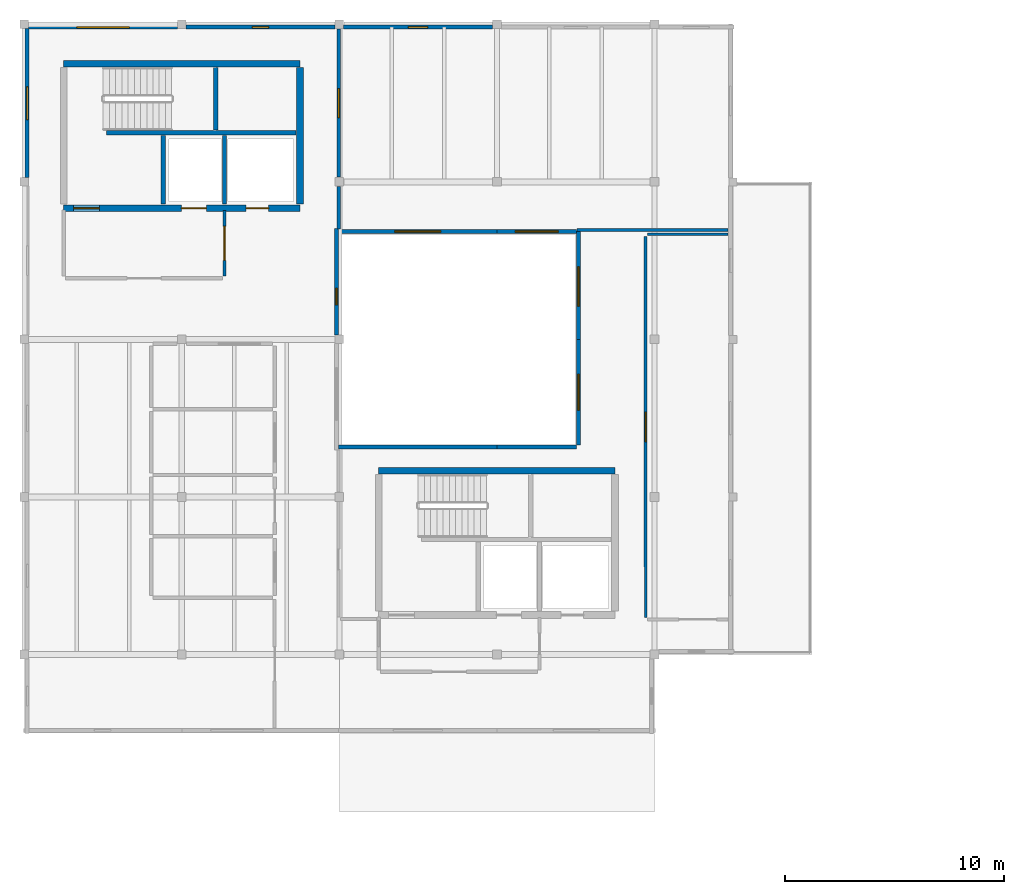
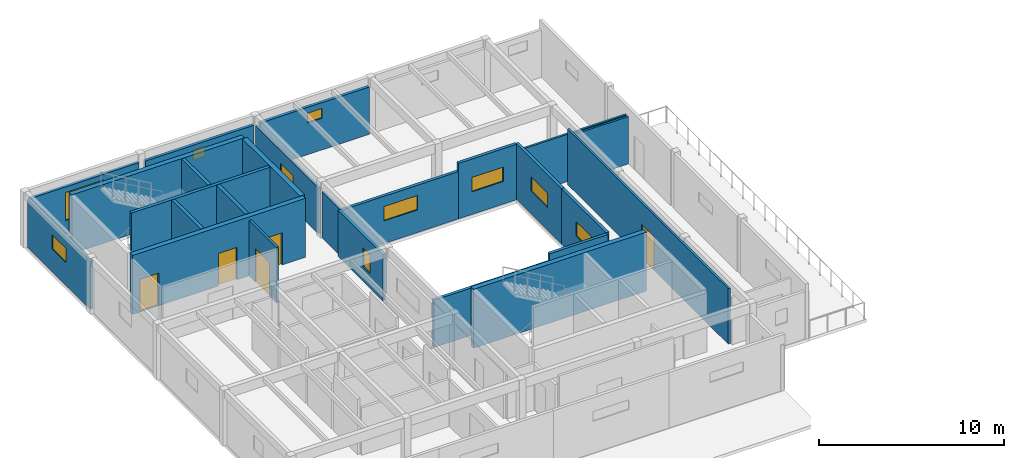
# One storey, part 6 of 12: 25 walls, 9 windows, 6 doors, 15 openings.
"""IFC4 building model written with IfcOpenShell, lengths in metres."""

from ifc_helpers import new_model, si_unit, direction, frame, frame_2d, origin, place, context, subcontext, project, spatial, rectangle, extrude, material, layer, layer_set, type_object, element, fill, save


model = new_model("IFC4")

# Units and contexts
model_context = context("Model", 3, precision=1e-05, world=origin(), true_north=direction((0.0, 1.0)))
body_context = subcontext(model_context, "Body", "Model", "MODEL_VIEW")
ifc_project = project(units=[si_unit("LENGTHUNIT", "METRE"), si_unit("AREAUNIT", "SQUARE_METRE"), si_unit("VOLUMEUNIT", "CUBIC_METRE"), si_unit("PLANEANGLEUNIT", "RADIAN"), si_unit("MASSUNIT", "GRAM", prefix="KILO")], contexts=[model_context])

# Site, building, storey
site_placement = place(None, origin())
site = spatial("IfcSite", under=ifc_project, at=site_placement, CompositionType="ELEMENT")
building_placement = place(site_placement, origin())
building = spatial("IfcBuilding", under=site, at=building_placement, Name="Bramvelor Terrace Health Centre", CompositionType="ELEMENT")
storey_placement = place(building_placement, frame((0.0, 0.0, 17.699951171875)))
storey = spatial("IfcBuildingStorey", under=building, at=storey_placement, Name="L05", CompositionType="ELEMENT", Elevation=17.699951171875)

# Walls
ifc_material_1 = material(Name="Acoustic clinical partition board", Category="gypsum")
ifc_layer_1 = layer(ifc_material_1, 0.1201171875)
ifc_layer_set_1 = layer_set([ifc_layer_1], Name="Acoustic clinical partition board")
wall_type_1 = type_object("IfcWallType", Name="WL-CLN-120", PredefinedType="PARTITIONING", material=ifc_layer_set_1)
wall_1_placement = place(storey_placement, frame((28.489990234375, 105.60009765625, 0.0), z_axis=(0.0, 0.0, 1.0), x_axis=(1.0, 0.0, 0.0)))
element("IfcWall", 1, at=wall_1_placement, inside=storey, type_object=wall_type_1, Name="L05 Interior Partition 341", PredefinedType="PARTITIONING", context=body_context, shape_type="SweptSolid", body=[
    extrude(rectangle(XDim=3.677490234375, YDim=0.1201171875, at=frame_2d((1.8388671875, 0.0))), origin(), (0.0, 0.0, 1.0), 3.130126953125),
])
wall_2_placement = place(storey_placement, frame((32.16748046875, 105.800048828125, 0.0), z_axis=(0.0, 0.0, 1.0), x_axis=(-1.0, 0.0, 0.0)))
element("IfcWall", 2, at=wall_2_placement, inside=storey, type_object=wall_type_1, Name="L05 Interior Partition 344", PredefinedType="PARTITIONING", context=body_context, shape_type="SweptSolid", body=[
    extrude(rectangle(XDim=6.898193359375, YDim=0.1201171875, at=frame_2d((3.44921875, 0.0))), origin(), (0.0, 0.0, 1.0), 3.130126953125),
])

# Wall, opening, door
ifc_material_2 = material(Name="Acoustic clinical partition board", Category="gypsum")
ifc_layer_2 = layer(ifc_material_2, 0.1298828125)
ifc_layer_set_2 = layer_set([ifc_layer_2], Name="Acoustic clinical partition board")
wall_type_2 = type_object("IfcWallType", Name="WL-CLN-130", PredefinedType="PARTITIONING", material=ifc_layer_set_2)
wall_3_placement = place(storey_placement, frame((28.402099609375, 88.092041015625, 0.0), z_axis=(0.0, 0.0, 1.0), x_axis=(-0.00012614936, 0.999999992043, 0.0)))
wall_3 = element("IfcWall", 3, at=wall_3_placement, inside=storey, type_object=wall_type_2, Name="L05 Interior Partition 343", PredefinedType="PARTITIONING", context=body_context, shape_type="SweptSolid", body=[
    extrude(rectangle(XDim=17.41796875, YDim=0.1298828125, at=frame_2d((8.708984375, 0.0))), origin(), (0.0, 0.0, 1.0), 3.670166015625),
])
opening_1_placement = place(wall_3_placement, frame((8.0390625, 0.0, 0.0)))
opening_1 = element("IfcOpeningElement", 4, at=opening_1_placement, cuts=wall_3, Name="Opening ID-C02", PredefinedType="OPENING", context=body_context, shape_type="SweptSolid", body=[
    extrude(rectangle(XDim=1.340087890625, YDim=2.239990234375, at=frame_2d((0.669921875, 1.1201171875))), frame((0.0, 0.074951171875, 0.0), z_axis=(0.0, -1.0, 0.0), x_axis=(1.0, 0.0, 0.0)), (0.0, 0.0, 1.0), 0.14990234375),
])
ifc_material_3 = material(Name="Solid-core acoustic timber laminate", Category="wood")
door_type_1 = type_object("IfcDoorType", Name="DR-CLN-02", OperationType="NOTDEFINED", PredefinedType="DOOR", material=ifc_material_3)
door_1_placement = place(opening_1_placement, origin())
door_1 = element("IfcDoor", 5, at=door_1_placement, inside=storey, type_object=door_type_1, Name="L05 Chronic Respiratory Rehab Suite Clinical Door", OperationType="SINGLE_SWING_LEFT", OverallHeight=2.239990234375, OverallWidth=1.340087890625, PredefinedType="DOOR", context=body_context, shape_type="SweptSolid", body=[
    extrude(rectangle(XDim=1.340087890625, YDim=2.239990234375, at=frame_2d((0.669921875, 1.1201171875))), frame((0.0, 0.02490234375, 0.0), z_axis=(0.0, -1.0, 0.0), x_axis=(1.0, 0.0, 0.0)), (0.0, 0.0, 1.0), 0.050048828125),
])
fill(opening_1, door_1)

# Wall
ifc_material_4 = material(Name="Fire-rated gypsum and mineral wool", Category="gypsum")
ifc_layer_3 = layer(ifc_material_4, 0.139892578125)
ifc_layer_set_3 = layer_set([ifc_layer_3], Name="Fire-rated gypsum and mineral wool")
wall_type_3 = type_object("IfcWallType", Name="WL-COR-140", PredefinedType="PARTITIONING", material=ifc_layer_set_3)
wall_4_placement = place(storey_placement, frame((14.3701171875, 105.848388671875, 0.0), z_axis=(0.0, 0.0, 1.0), x_axis=(0.0, 1.0, 0.0)))
element("IfcWall", 6, at=wall_4_placement, inside=storey, type_object=wall_type_3, Name="L05 Interior Partition 345", PredefinedType="PARTITIONING", context=body_context, shape_type="SweptSolid", body=[
    extrude(rectangle(XDim=1.9365234375, YDim=0.139892578125, at=frame_2d((0.96826171875, 0.0))), origin(), (0.0, 0.0, 1.0), 3.050048828125),
])

# Wall, opening, door
wall_5_placement = place(storey_placement, frame((14.3701171875, 108.215087890625, 0.0), z_axis=(0.0, 0.0, 1.0), x_axis=(0.0, 1.0, 0.0)))
wall_5 = element("IfcWall", 7, at=wall_5_placement, inside=storey, type_object=wall_type_3, Name="L05 Interior Partition 346", PredefinedType="PARTITIONING", context=body_context, shape_type="SweptSolid", body=[
    extrude(rectangle(XDim=6.77490234375, YDim=0.139892578125, at=frame_2d((3.387451171875, 0.0))), origin(), (0.0, 0.0, 1.0), 3.050048828125),
])
opening_2_placement = place(wall_5_placement, frame((2.7275390625, 0.0, 0.0)))
opening_2 = element("IfcOpeningElement", 8, at=opening_2_placement, cuts=wall_5, Name="Opening FD-05", PredefinedType="OPENING", context=body_context, shape_type="SweptSolid", body=[
    extrude(rectangle(XDim=1.320068359375, YDim=2.199951171875, at=frame_2d((0.66015625, 1.10009765625))), frame((0.0, 0.079833984375, 0.0), z_axis=(0.0, -1.0, 0.0), x_axis=(1.0, 0.0, 0.0)), (0.0, 0.0, 1.0), 0.159912109375),
])
ifc_material_5 = material(Name="Fire-rated steel and vision panel", Category="steel")
door_type_2 = type_object("IfcDoorType", Name="DR-FD60-132", OperationType="NOTDEFINED", PredefinedType="DOOR", material=ifc_material_5)
door_2_placement = place(opening_2_placement, origin())
door_2 = element("IfcDoor", 9, at=door_2_placement, inside=storey, type_object=door_type_2, Name="L05 Telemedicine and Digital Triage Hub Fire Door", OperationType="SINGLE_SWING_RIGHT", OverallHeight=2.199951171875, OverallWidth=1.320068359375, PredefinedType="DOOR", context=body_context, shape_type="SweptSolid", body=[
    extrude(rectangle(XDim=1.320068359375, YDim=2.199951171875, at=frame_2d((0.66015625, 1.10009765625))), frame((0.0, 0.02490234375, 0.0), z_axis=(0.0, -1.0, 0.0), x_axis=(1.0, 0.0, 0.0)), (0.0, 0.0, 1.0), 0.050048828125),
])
fill(opening_2, door_2)

# Walls
ifc_material_6 = material(Name="Concrete C40/50", Category="concrete")
ifc_layer_4 = layer(ifc_material_6, 0.199951171875)
ifc_layer_set_4 = layer_set([ifc_layer_4], Name="Concrete C40/50")
wall_type_4 = type_object("IfcWallType", Name="WL-CORE-200", PredefinedType="SHEAR", material=ifc_layer_set_4)
wall_6_placement = place(storey_placement, frame((3.75, 110.25, 0.0), z_axis=(0.0, 0.0, 1.0), x_axis=(1.0, 0.0, 0.0)))
element("IfcWall", 10, at=wall_6_placement, inside=storey, type_object=wall_type_4, Name="C1 L05 Core Shear Wall", PredefinedType="SHEAR", context=body_context, shape_type="SweptSolid", body=[
    extrude(rectangle(XDim=8.669921875, YDim=0.199951171875, at=frame_2d((4.3349609375, 0.0))), origin(), (0.0, 0.0, 1.0), 3.900146484375),
])
wall_7_placement = place(storey_placement, frame((8.7548828125, 110.3701171875, 0.0), z_axis=(0.0, 0.0, 1.0), x_axis=(0.0, 1.0, 0.0)))
element("IfcWall", 11, at=wall_7_placement, inside=storey, type_object=wall_type_4, Name="C1 L05 Core Shear Wall", PredefinedType="SHEAR", context=body_context, shape_type="SweptSolid", body=[
    extrude(rectangle(XDim=2.849853515625, YDim=0.199951171875, at=frame_2d((1.4248046875, 0.0))), origin(), (0.0, 0.0, 1.0), 3.900146484375),
])
for number, where, z_axis, x_axis, name in (
    (12, (6.35009765625, 106.97998046875, 0.0), (0.0, 0.0, 1.0), (0.0, 1.0, 0.0), "C1 L05 Core Shear Wall"),
    (13, (9.14990234375, 106.97998046875, 0.0), (0.0, 0.0, 1.0), (0.0, 1.0, 0.0), "C1 L05 Lift Divider Wall"),
):
    element("IfcWall", number, at=place(storey_placement, frame(where, z_axis=z_axis, x_axis=x_axis)), inside=storey, type_object=wall_type_4, Name=name, PredefinedType="SHEAR", context=body_context, shape_type="SweptSolid", body=[
        extrude(rectangle(XDim=3.14990234375, YDim=0.199951171875, at=frame_2d((1.574951171875, 0.0))), origin(), (0.0, 0.0, 1.0), 3.900146484375),
    ])

# Wall, openings, doors
ifc_material_7 = material(Name="Concrete C40/50", Category="concrete")
ifc_layer_5 = layer(ifc_material_7, 0.300048828125)
ifc_layer_set_5 = layer_set([ifc_layer_5], Name="Concrete C40/50")
wall_type_5 = type_object("IfcWallType", Name="WL-CORE-300", PredefinedType="SHEAR", material=ifc_layer_set_5)
wall_8_placement = place(storey_placement, frame((1.800048828125, 106.800048828125, 0.0), z_axis=(0.0, 0.0, 1.0), x_axis=(1.0, 0.0, 0.0)))
wall_8 = element("IfcWall", 14, at=wall_8_placement, inside=storey, type_object=wall_type_5, Name="C1 L05 Core Shear Wall", PredefinedType="SHEAR", context=body_context, shape_type="SweptSolid", body=[
    extrude(rectangle(XDim=10.800048828125, YDim=0.300048828125, at=frame_2d((5.39990234375, 0.0))), origin(), (0.0, 0.0, 1.0), 3.900146484375),
])
opening_3_placement = place(wall_8_placement, frame((0.449951171875, 0.0, 0.0)))
opening_3 = element("IfcOpeningElement", 15, at=opening_3_placement, cuts=wall_8, Name="Opening FD-02", PredefinedType="OPENING", context=body_context, shape_type="SweptSolid", body=[
    extrude(rectangle(XDim=1.179931640625, YDim=2.159912109375, at=frame_2d((0.58984375, 1.080078125))), frame((0.0, 0.159912109375, 0.0), z_axis=(0.0, -1.0, 0.0), x_axis=(1.0, 0.0, 0.0)), (0.0, 0.0, 1.0), 0.320068359375),
])
opening_4_placement = place(wall_8_placement, frame((5.375, 0.0, 0.0)))
opening_4 = element("IfcOpeningElement", 16, at=opening_4_placement, cuts=wall_8, Name="Opening LD-1", PredefinedType="OPENING", context=body_context, shape_type="SweptSolid", body=[
    extrude(rectangle(XDim=1.14990234375, YDim=2.14990234375, at=frame_2d((0.574951171875, 1.074951171875))), frame((0.0, 0.159912109375, 0.0), z_axis=(0.0, -1.0, 0.0), x_axis=(1.0, 0.0, 0.0)), (0.0, 0.0, 1.0), 0.320068359375),
])
opening_5_placement = place(wall_8_placement, frame((8.340087890625, 0.0, 0.0)))
opening_5 = element("IfcOpeningElement", 17, at=opening_5_placement, cuts=wall_8, Name="Opening LD-2", PredefinedType="OPENING", context=body_context, shape_type="SweptSolid", body=[
    extrude(rectangle(XDim=1.02001953125, YDim=2.1201171875, at=frame_2d((0.510009765625, 1.06005859375))), frame((0.0, 0.159912109375, 0.0), z_axis=(0.0, -1.0, 0.0), x_axis=(1.0, 0.0, 0.0)), (0.0, 0.0, 1.0), 0.320068359375),
])
ifc_material_8 = material(Name="Fire-rated steel and vision panel", Category="steel")
door_type_3 = type_object("IfcDoorType", Name="DR-FD90-118", OperationType="NOTDEFINED", PredefinedType="DOOR", material=ifc_material_8)
door_3_placement = place(opening_3_placement, origin())
door_3 = element("IfcDoor", 18, at=door_3_placement, inside=storey, type_object=door_type_3, Name="C1 L05 Core Stair Fire Door", OperationType="SINGLE_SWING_LEFT", OverallHeight=2.159912109375, OverallWidth=1.179931640625, PredefinedType="DOOR", context=body_context, shape_type="SweptSolid", body=[
    extrude(rectangle(XDim=1.179931640625, YDim=2.159912109375, at=frame_2d((0.58984375, 1.080078125))), frame((0.0, 0.02490234375, 0.0), z_axis=(0.0, -1.0, 0.0), x_axis=(1.0, 0.0, 0.0)), (0.0, 0.0, 1.0), 0.050048828125),
])
fill(opening_3, door_3)
ifc_material_9 = material(Name="Brushed stainless steel 316", Category="steel")
door_type_4 = type_object("IfcDoorType", Name="DR-LIFT-FF115", OperationType="DOUBLE_DOOR_SLIDING", PredefinedType="DOOR", material=ifc_material_9)
door_4_placement = place(opening_4_placement, origin())
door_4 = element("IfcDoor", 19, at=door_4_placement, inside=storey, type_object=door_type_4, Name="Lift LF-01 L05 Sliding Landing Door", OperationType="DOUBLE_DOOR_SLIDING", OverallHeight=2.14990234375, OverallWidth=1.14990234375, PredefinedType="DOOR", context=body_context, shape_type="SweptSolid", body=[
    extrude(rectangle(XDim=1.14990234375, YDim=2.14990234375, at=frame_2d((0.574951171875, 1.074951171875))), frame((0.0, 0.02490234375, 0.0), z_axis=(0.0, -1.0, 0.0), x_axis=(1.0, 0.0, 0.0)), (0.0, 0.0, 1.0), 0.050048828125),
])
fill(opening_4, door_4)
ifc_material_10 = material(Name="Brushed stainless steel 316", Category="steel")
door_type_5 = type_object("IfcDoorType", Name="DR-LIFT-PS102", OperationType="SLIDING_TO_LEFT", PredefinedType="DOOR", material=ifc_material_10)
door_5_placement = place(opening_5_placement, origin())
door_5 = element("IfcDoor", 20, at=door_5_placement, inside=storey, type_object=door_type_5, Name="Lift LP-01 L05 Sliding Landing Door", OperationType="SLIDING_TO_LEFT", OverallHeight=2.1201171875, OverallWidth=1.02001953125, PredefinedType="DOOR", context=body_context, shape_type="SweptSolid", body=[
    extrude(rectangle(XDim=1.02001953125, YDim=2.1201171875, at=frame_2d((0.510009765625, 1.06005859375))), frame((0.0, 0.02490234375, 0.0), z_axis=(0.0, -1.0, 0.0), x_axis=(1.0, 0.0, 0.0)), (0.0, 0.0, 1.0), 0.050048828125),
])
fill(opening_5, door_5)

# Walls
wall_9_placement = place(storey_placement, frame((1.800048828125, 113.39990234375, 0.0), z_axis=(0.0, 0.0, 1.0), x_axis=(1.0, 0.0, 0.0)))
element("IfcWall", 21, at=wall_9_placement, inside=storey, type_object=wall_type_5, Name="C1 L05 Core Shear Wall", PredefinedType="SHEAR", context=body_context, shape_type="SweptSolid", body=[
    extrude(rectangle(XDim=10.800048828125, YDim=0.300048828125, at=frame_2d((5.39990234375, 0.0))), origin(), (0.0, 0.0, 1.0), 3.900146484375),
])
wall_10_placement = place(storey_placement, frame((12.60009765625, 106.97998046875, 0.0), z_axis=(0.0, 0.0, 1.0), x_axis=(0.0, 1.0, 0.0)))
element("IfcWall", 22, at=wall_10_placement, inside=storey, type_object=wall_type_5, Name="C1 L05 Core Shear Wall", PredefinedType="SHEAR", context=body_context, shape_type="SweptSolid", body=[
    extrude(rectangle(XDim=6.239990234375, YDim=0.300048828125, at=frame_2d((3.1201171875, 0.0))), origin(), (0.0, 0.0, 1.0), 3.900146484375),
])
wall_11_placement = place(storey_placement, frame((16.199951171875, 94.800048828125, 0.0), z_axis=(0.0, 0.0, 1.0), x_axis=(1.0, 0.0, 0.0)))
element("IfcWall", 23, at=wall_11_placement, inside=storey, type_object=wall_type_5, Name="C2 L05 Core Shear Wall", PredefinedType="SHEAR", context=body_context, shape_type="SweptSolid", body=[
    extrude(rectangle(XDim=10.800048828125, YDim=0.300048828125, at=frame_2d((5.39990234375, 0.0))), origin(), (0.0, 0.0, 1.0), 3.900146484375),
])

# Wall, opening, window
ifc_material_11 = material(Name="Cross-laminated timber C24", Category="wood")
ifc_layer_6 = layer(ifc_material_11, 0.18505859375)
ifc_layer_set_6 = layer_set([ifc_layer_6], Name="Cross-laminated timber C24")
wall_type_6 = type_object("IfcWallType", Name="WL-EXT-CLT185", PredefinedType="SOLIDWALL", material=ifc_layer_set_6)
wall_12_placement = place(storey_placement, frame((0.195068359375, 115.070068359375, 0.0), z_axis=(0.0, 0.0, 1.0), x_axis=(1.0, 0.0, 0.0)))
wall_12 = element("IfcWall", 24, at=wall_12_placement, inside=storey, type_object=wall_type_6, Name="L05 Exterior Facade Wall 16", PredefinedType="SOLIDWALL", context=body_context, shape_type="SweptSolid", body=[
    extrude(rectangle(XDim=6.809814453125, YDim=0.18505859375, at=frame_2d((3.40478515625, 0.0))), origin(), (0.0, 0.0, 1.0), 3.170166015625),
])
opening_6_placement = place(wall_12_placement, frame((2.205078125, 0.0, 0.949951171875)))
opening_6 = element("IfcOpeningElement", 25, at=opening_6_placement, cuts=wall_12, Name="Opening WN-60", PredefinedType="OPENING", context=body_context, shape_type="SweptSolid", body=[
    extrude(rectangle(XDim=2.39990234375, YDim=1.85009765625, at=frame_2d((1.199951171875, 0.925048828125))), frame((0.0, 0.1025390625, 0.0), z_axis=(0.0, -1.0, 0.0), x_axis=(1.0, 0.0, 0.0)), (0.0, 0.0, 1.0), 0.205078125),
])
ifc_material_12 = material(Name="Double low-E laminated glass", Category="glass")
window_type_1 = type_object("IfcWindowType", Name="WIN-EXT-60", PartitioningType="SINGLE_PANEL", PredefinedType="WINDOW", material=ifc_material_12)
window_1_placement = place(opening_6_placement, origin())
window_1 = element("IfcWindow", 26, at=window_1_placement, inside=storey, type_object=window_type_1, Name="L05 Scheduled Clinical Window 240", OverallHeight=1.85009765625, OverallWidth=2.39990234375, PartitioningType="SINGLE_PANEL", PredefinedType="WINDOW", context=body_context, shape_type="SweptSolid", body=[
    extrude(rectangle(XDim=2.39990234375, YDim=1.85009765625, at=frame_2d((1.199951171875, 0.925048828125))), frame((0.0, 0.030029296875, 0.0), z_axis=(0.0, -1.0, 0.0), x_axis=(1.0, 0.0, 0.0)), (0.0, 0.0, 1.0), 0.06005859375),
])
fill(opening_6, window_1)

wall_13_placement = place(storey_placement, frame((7.39501953125, 115.070068359375, 0.0), z_axis=(0.0, 0.0, 1.0), x_axis=(1.0, 0.0, 0.0)))
wall_13 = element("IfcWall", 27, at=wall_13_placement, inside=storey, type_object=wall_type_6, Name="L05 Exterior Facade Wall 17", PredefinedType="SOLIDWALL", context=body_context, shape_type="SweptSolid", body=[
    extrude(rectangle(XDim=6.81005859375, YDim=0.18505859375, at=frame_2d((3.405029296875, 0.0))), origin(), (0.0, 0.0, 1.0), 3.130126953125),
])
opening_7_placement = place(wall_13_placement, frame((3.030029296875, 0.0, 2.10009765625)))
opening_7 = element("IfcOpeningElement", 28, at=opening_7_placement, cuts=wall_13, Name="Opening WN-01", PredefinedType="OPENING", context=body_context, shape_type="SweptSolid", body=[
    extrude(rectangle(XDim=0.75, YDim=0.64990234375, at=frame_2d((0.375, 0.324951171875))), frame((0.0, 0.1025390625, 0.0), z_axis=(0.0, -1.0, 0.0), x_axis=(1.0, 0.0, 0.0)), (0.0, 0.0, 1.0), 0.205078125),
])
ifc_material_13 = material(Name="Double low-E laminated glass", Category="glass")
window_type_2 = type_object("IfcWindowType", Name="WIN-EXT-01", PartitioningType="SINGLE_PANEL", PredefinedType="WINDOW", material=ifc_material_13)
window_2_placement = place(opening_7_placement, origin())
window_2 = element("IfcWindow", 29, at=window_2_placement, inside=storey, type_object=window_type_2, Name="L05 Scheduled Clinical Window 241", OverallHeight=0.64990234375, OverallWidth=0.75, PartitioningType="SINGLE_PANEL", PredefinedType="WINDOW", context=body_context, shape_type="SweptSolid", body=[
    extrude(rectangle(XDim=0.75, YDim=0.64990234375, at=frame_2d((0.375, 0.324951171875))), frame((0.0, 0.030029296875, 0.0), z_axis=(0.0, -1.0, 0.0), x_axis=(1.0, 0.0, 0.0)), (0.0, 0.0, 1.0), 0.06005859375),
])
fill(opening_7, window_2)

wall_14_placement = place(storey_placement, frame((14.594970703125, 115.070068359375, 0.0), z_axis=(0.0, 0.0, 1.0), x_axis=(1.0, 0.0, 0.0)))
wall_14 = element("IfcWall", 30, at=wall_14_placement, inside=storey, type_object=wall_type_6, Name="L05 Exterior Facade Wall 18", PredefinedType="SOLIDWALL", context=body_context, shape_type="SweptSolid", body=[
    extrude(rectangle(XDim=6.81005859375, YDim=0.18505859375, at=frame_2d((3.405029296875, 0.0))), origin(), (0.0, 0.0, 1.0), 3.130126953125),
])
opening_8_placement = place(wall_14_placement, frame((2.955078125, 0.0, 2.10009765625)))
opening_8 = element("IfcOpeningElement", 31, at=opening_8_placement, cuts=wall_14, Name="Opening WN-02", PredefinedType="OPENING", context=body_context, shape_type="SweptSolid", body=[
    extrude(rectangle(XDim=0.89990234375, YDim=0.64990234375, at=frame_2d((0.449951171875, 0.324951171875))), frame((0.0, 0.1025390625, 0.0), z_axis=(0.0, -1.0, 0.0), x_axis=(1.0, 0.0, 0.0)), (0.0, 0.0, 1.0), 0.205078125),
])
ifc_material_14 = material(Name="Double low-E laminated glass", Category="glass")
window_type_3 = type_object("IfcWindowType", Name="WIN-EXT-02", PartitioningType="SINGLE_PANEL", PredefinedType="WINDOW", material=ifc_material_14)
window_3_placement = place(opening_8_placement, origin())
window_3 = element("IfcWindow", 32, at=window_3_placement, inside=storey, type_object=window_type_3, Name="L05 Scheduled Clinical Window 242", OverallHeight=0.64990234375, OverallWidth=0.89990234375, PartitioningType="SINGLE_PANEL", PredefinedType="WINDOW", context=body_context, shape_type="SweptSolid", body=[
    extrude(rectangle(XDim=0.89990234375, YDim=0.64990234375, at=frame_2d((0.449951171875, 0.324951171875))), frame((0.0, 0.030029296875, 0.0), z_axis=(0.0, -1.0, 0.0), x_axis=(1.0, 0.0, 0.0)), (0.0, 0.0, 1.0), 0.06005859375),
])
fill(opening_8, window_3)

wall_15_placement = place(storey_placement, frame((0.1298828125, 108.195068359375, 0.0), z_axis=(0.0, 0.0, 1.0), x_axis=(0.0, 1.0, 0.0)))
wall_15 = element("IfcWall", 33, at=wall_15_placement, inside=storey, type_object=wall_type_6, Name="L05 Exterior Facade Wall 35", PredefinedType="SOLIDWALL", context=body_context, shape_type="SweptSolid", body=[
    extrude(rectangle(XDim=6.809814453125, YDim=0.18505859375, at=frame_2d((3.40478515625, 0.0))), origin(), (0.0, 0.0, 1.0), 3.170166015625),
])
opening_9_placement = place(wall_15_placement, frame((2.655029296875, 0.0, 1.5)))
opening_9 = element("IfcOpeningElement", 34, at=opening_9_placement, cuts=wall_15, Name="Opening WN-18", PredefinedType="OPENING", context=body_context, shape_type="SweptSolid", body=[
    extrude(rectangle(XDim=1.5, YDim=0.949951171875, at=frame_2d((0.75, 0.47509765625))), frame((0.0, 0.1025390625, 0.0), z_axis=(0.0, -1.0, 0.0), x_axis=(1.0, 0.0, 0.0)), (0.0, 0.0, 1.0), 0.205078125),
])
ifc_material_15 = material(Name="Double low-E laminated glass", Category="glass")
window_type_4 = type_object("IfcWindowType", Name="WIN-EXT-18", PartitioningType="SINGLE_PANEL", PredefinedType="WINDOW", material=ifc_material_15)
window_4_placement = place(opening_9_placement, origin())
window_4 = element("IfcWindow", 35, at=window_4_placement, inside=storey, type_object=window_type_4, Name="L05 Scheduled Clinical Window 258", OverallHeight=0.949951171875, OverallWidth=1.5, PartitioningType="SINGLE_PANEL", PredefinedType="WINDOW", context=body_context, shape_type="SweptSolid", body=[
    extrude(rectangle(XDim=1.5, YDim=0.949951171875, at=frame_2d((0.75, 0.47509765625))), frame((0.0, 0.030029296875, 0.0), z_axis=(0.0, -1.0, 0.0), x_axis=(1.0, 0.0, 0.0)), (0.0, 0.0, 1.0), 0.06005859375),
])
fill(opening_9, window_4)

wall_16_placement = place(storey_placement, frame((25.330078125, 95.97998046875, 0.0), z_axis=(0.0, 0.0, 1.0), x_axis=(0.0, 1.0, 0.0)))
wall_16 = element("IfcWall", 36, at=wall_16_placement, inside=storey, type_object=wall_type_6, Name="L05 Exterior Facade Wall 36", PredefinedType="SOLIDWALL", context=body_context, shape_type="SweptSolid", body=[
    extrude(rectangle(XDim=4.820068359375, YDim=0.18505859375, at=frame_2d((2.41015625, 0.0))), origin(), (0.0, 0.0, 1.0), 3.670166015625),
])
opening_10_placement = place(wall_16_placement, frame((1.5849609375, 0.0, 1.5)))
opening_10 = element("IfcOpeningElement", 37, at=opening_10_placement, cuts=wall_16, Name="Opening WN-19", PredefinedType="OPENING", context=body_context, shape_type="SweptSolid", body=[
    extrude(rectangle(XDim=1.64990234375, YDim=0.949951171875, at=frame_2d((0.824951171875, 0.47509765625))), frame((0.0, 0.1025390625, 0.0), z_axis=(0.0, -1.0, 0.0), x_axis=(1.0, 0.0, 0.0)), (0.0, 0.0, 1.0), 0.205078125),
])
ifc_material_16 = material(Name="Double low-E laminated glass", Category="glass")
window_type_5 = type_object("IfcWindowType", Name="WIN-EXT-19", PartitioningType="SINGLE_PANEL", PredefinedType="WINDOW", material=ifc_material_16)
window_5_placement = place(opening_10_placement, origin())
window_5 = element("IfcWindow", 38, at=window_5_placement, inside=storey, type_object=window_type_5, Name="L05 Scheduled Clinical Window 259", OverallHeight=0.949951171875, OverallWidth=1.64990234375, PartitioningType="SINGLE_PANEL", PredefinedType="WINDOW", context=body_context, shape_type="SweptSolid", body=[
    extrude(rectangle(XDim=1.64990234375, YDim=0.949951171875, at=frame_2d((0.824951171875, 0.47509765625))), frame((0.0, 0.030029296875, 0.0), z_axis=(0.0, -1.0, 0.0), x_axis=(1.0, 0.0, 0.0)), (0.0, 0.0, 1.0), 0.06005859375),
])
fill(opening_10, window_5)

wall_17_placement = place(storey_placement, frame((25.330078125, 100.800048828125, 0.0), z_axis=(0.0, 0.0, 1.0), x_axis=(0.0, 1.0, 0.0)))
wall_17 = element("IfcWall", 39, at=wall_17_placement, inside=storey, type_object=wall_type_6, Name="L05 Exterior Facade Wall 37", PredefinedType="SOLIDWALL", context=body_context, shape_type="SweptSolid", body=[
    extrude(rectangle(XDim=4.950927734375, YDim=0.18505859375, at=frame_2d((2.4755859375, 0.0))), origin(), (0.0, 0.0, 1.0), 3.670166015625),
])
opening_11_placement = place(wall_17_placement, frame((1.510009765625, 0.0, 1.5)))
opening_11 = element("IfcOpeningElement", 40, at=opening_11_placement, cuts=wall_17, Name="Opening WN-20", PredefinedType="OPENING", context=body_context, shape_type="SweptSolid", body=[
    extrude(rectangle(XDim=1.800048828125, YDim=0.949951171875, at=frame_2d((0.89990234375, 0.47509765625))), frame((0.0, 0.1025390625, 0.0), z_axis=(0.0, -1.0, 0.0), x_axis=(1.0, 0.0, 0.0)), (0.0, 0.0, 1.0), 0.205078125),
])
ifc_material_17 = material(Name="Double low-E laminated glass", Category="glass")
window_type_6 = type_object("IfcWindowType", Name="WIN-EXT-20", PartitioningType="SINGLE_PANEL", PredefinedType="WINDOW", material=ifc_material_17)
window_6_placement = place(opening_11_placement, origin())
window_6 = element("IfcWindow", 41, at=window_6_placement, inside=storey, type_object=window_type_6, Name="L05 Scheduled Clinical Window 260", OverallHeight=0.949951171875, OverallWidth=1.800048828125, PartitioningType="SINGLE_PANEL", PredefinedType="WINDOW", context=body_context, shape_type="SweptSolid", body=[
    extrude(rectangle(XDim=1.800048828125, YDim=0.949951171875, at=frame_2d((0.89990234375, 0.47509765625))), frame((0.0, 0.030029296875, 0.0), z_axis=(0.0, -1.0, 0.0), x_axis=(1.0, 0.0, 0.0)), (0.0, 0.0, 1.0), 0.06005859375),
])
fill(opening_11, window_6)

wall_18_placement = place(storey_placement, frame((25.239990234375, 105.72998046875, 0.0), z_axis=(0.0, 0.0, 1.0), x_axis=(-1.0, 0.0, 0.0)))
wall_18 = element("IfcWall", 42, at=wall_18_placement, inside=storey, type_object=wall_type_6, Name="L05 Exterior Facade Wall 38", PredefinedType="SOLIDWALL", context=body_context, shape_type="SweptSolid", body=[
    extrude(rectangle(XDim=3.639892578125, YDim=0.18505859375, at=frame_2d((1.81982421875, 0.0))), origin(), (0.0, 0.0, 1.0), 3.670166015625),
])
opening_12_placement = place(wall_18_placement, frame((0.844970703125, 0.0, 1.5)))
opening_12 = element("IfcOpeningElement", 43, at=opening_12_placement, cuts=wall_18, Name="Opening WN-21", PredefinedType="OPENING", context=body_context, shape_type="SweptSolid", body=[
    extrude(rectangle(XDim=1.949951171875, YDim=0.949951171875, at=frame_2d((0.97509765625, 0.47509765625))), frame((0.0, 0.1025390625, 0.0), z_axis=(0.0, -1.0, 0.0), x_axis=(1.0, 0.0, 0.0)), (0.0, 0.0, 1.0), 0.205078125),
])
ifc_material_18 = material(Name="Double low-E laminated glass", Category="glass")
window_type_7 = type_object("IfcWindowType", Name="WIN-EXT-21", PartitioningType="SINGLE_PANEL", PredefinedType="WINDOW", material=ifc_material_18)
window_7_placement = place(opening_12_placement, origin())
window_7 = element("IfcWindow", 44, at=window_7_placement, inside=storey, type_object=window_type_7, Name="L05 Scheduled Clinical Window 261", OverallHeight=0.949951171875, OverallWidth=1.949951171875, PartitioningType="SINGLE_PANEL", PredefinedType="WINDOW", context=body_context, shape_type="SweptSolid", body=[
    extrude(rectangle(XDim=1.949951171875, YDim=0.949951171875, at=frame_2d((0.97509765625, 0.47509765625))), frame((0.0, 0.030029296875, 0.0), z_axis=(0.0, -1.0, 0.0), x_axis=(1.0, 0.0, 0.0)), (0.0, 0.0, 1.0), 0.06005859375),
])
fill(opening_12, window_7)

wall_19_placement = place(storey_placement, frame((21.60009765625, 105.72998046875, 0.0), z_axis=(0.0, 0.0, 1.0), x_axis=(-1.0, 0.0, 0.0)))
wall_19 = element("IfcWall", 45, at=wall_19_placement, inside=storey, type_object=wall_type_6, Name="L05 Exterior Facade Wall 39", PredefinedType="SOLIDWALL", context=body_context, shape_type="SweptSolid", body=[
    extrude(rectangle(XDim=7.239990234375, YDim=0.18505859375, at=frame_2d((3.6201171875, 0.0))), origin(), (0.0, 0.0, 1.0), 3.130126953125),
])
opening_13_placement = place(wall_19_placement, frame((2.570068359375, 0.0, 1.5)))
opening_13 = element("IfcOpeningElement", 46, at=opening_13_placement, cuts=wall_19, Name="Opening WN-22", PredefinedType="OPENING", context=body_context, shape_type="SweptSolid", body=[
    extrude(rectangle(XDim=2.10009765625, YDim=0.949951171875, at=frame_2d((1.050048828125, 0.47509765625))), frame((0.0, 0.1025390625, 0.0), z_axis=(0.0, -1.0, 0.0), x_axis=(1.0, 0.0, 0.0)), (0.0, 0.0, 1.0), 0.205078125),
])
ifc_material_19 = material(Name="Double low-E laminated glass", Category="glass")
window_type_8 = type_object("IfcWindowType", Name="WIN-EXT-22", PartitioningType="SINGLE_PANEL", PredefinedType="WINDOW", material=ifc_material_19)
window_8_placement = place(opening_13_placement, origin())
window_8 = element("IfcWindow", 47, at=window_8_placement, inside=storey, type_object=window_type_8, Name="L05 Scheduled Clinical Window 262", OverallHeight=0.949951171875, OverallWidth=2.10009765625, PartitioningType="SINGLE_PANEL", PredefinedType="WINDOW", context=body_context, shape_type="SweptSolid", body=[
    extrude(rectangle(XDim=2.10009765625, YDim=0.949951171875, at=frame_2d((1.050048828125, 0.47509765625))), frame((0.0, 0.030029296875, 0.0), z_axis=(0.0, -1.0, 0.0), x_axis=(1.0, 0.0, 0.0)), (0.0, 0.0, 1.0), 0.06005859375),
])
fill(opening_13, window_8)

wall_20_placement = place(storey_placement, frame((14.27001953125, 105.861083984375, 0.0), z_axis=(0.0, 0.0, 1.0), x_axis=(0.0, -1.0, 0.0)))
wall_20 = element("IfcWall", 48, at=wall_20_placement, inside=storey, type_object=wall_type_6, Name="L05 Exterior Facade Wall 40", PredefinedType="SOLIDWALL", context=body_context, shape_type="SweptSolid", body=[
    extrude(rectangle(XDim=4.865966796875, YDim=0.18505859375, at=frame_2d((2.43310546875, 0.0))), origin(), (0.0, 0.0, 1.0), 3.050048828125),
])
opening_14_placement = place(wall_20_placement, frame((2.728515625, 0.0, 0.949951171875)))
opening_14 = element("IfcOpeningElement", 49, at=opening_14_placement, cuts=wall_20, Name="Opening WN-25", PredefinedType="OPENING", context=body_context, shape_type="SweptSolid", body=[
    extrude(rectangle(XDim=0.75, YDim=1.25, at=frame_2d((0.375, 0.625))), frame((0.0, 0.1025390625, 0.0), z_axis=(0.0, -1.0, 0.0), x_axis=(1.0, 0.0, 0.0)), (0.0, 0.0, 1.0), 0.205078125),
])
ifc_material_20 = material(Name="Double low-E laminated glass", Category="glass")
window_type_9 = type_object("IfcWindowType", Name="WIN-EXT-25", PartitioningType="SINGLE_PANEL", PredefinedType="WINDOW", material=ifc_material_20)
window_9_placement = place(opening_14_placement, origin())
window_9 = element("IfcWindow", 50, at=window_9_placement, inside=storey, type_object=window_type_9, Name="L05 Scheduled Clinical Window 263", OverallHeight=1.25, OverallWidth=0.75, PartitioningType="SINGLE_PANEL", PredefinedType="WINDOW", context=body_context, shape_type="SweptSolid", body=[
    extrude(rectangle(XDim=0.75, YDim=1.25, at=frame_2d((0.375, 0.625))), frame((0.0, 0.030029296875, 0.0), z_axis=(0.0, -1.0, 0.0), x_axis=(1.0, 0.0, 0.0)), (0.0, 0.0, 1.0), 0.06005859375),
])
fill(opening_14, window_9)

# Walls
wall_21_placement = place(storey_placement, frame((14.360107421875, 95.8701171875, 0.0), z_axis=(0.0, 0.0, 1.0), x_axis=(1.0, 0.0, 0.0)))
element("IfcWall", 51, at=wall_21_placement, inside=storey, type_object=wall_type_6, Name="L05 Exterior Facade Wall 42", PredefinedType="SOLIDWALL", context=body_context, shape_type="SweptSolid", body=[
    extrude(rectangle(XDim=7.239990234375, YDim=0.18505859375, at=frame_2d((3.6201171875, 0.0))), origin(), (0.0, 0.0, 1.0), 3.130126953125),
])
wall_22_placement = place(storey_placement, frame((21.60009765625, 95.8701171875, 0.0), z_axis=(0.0, 0.0, 1.0), x_axis=(1.0, 0.0, 0.0)))
element("IfcWall", 52, at=wall_22_placement, inside=storey, type_object=wall_type_6, Name="L05 Exterior Facade Wall 43", PredefinedType="SOLIDWALL", context=body_context, shape_type="SweptSolid", body=[
    extrude(rectangle(XDim=3.639892578125, YDim=0.18505859375, at=frame_2d((1.81982421875, 0.0))), origin(), (0.0, 0.0, 1.0), 3.670166015625),
])

# Wall, opening, door
ifc_material_21 = material(Name="Fire-rated gypsum and mineral wool", Category="gypsum")
ifc_layer_7 = layer(ifc_material_21, 0.14990234375)
ifc_layer_set_7 = layer_set([ifc_layer_7], Name="Fire-rated gypsum and mineral wool")
wall_type_7 = type_object("IfcWallType", Name="WL-FIR-150", PredefinedType="PARTITIONING", material=ifc_layer_set_7)
wall_23_placement = place(storey_placement, frame((9.14990234375, 106.68310546875, 0.0), z_axis=(0.0, 0.0, 1.0), x_axis=(0.0, -1.0, 0.0)))
wall_23 = element("IfcWall", 53, at=wall_23_placement, inside=storey, type_object=wall_type_7, Name="L05 Interior Partition 321", PredefinedType="PARTITIONING", context=body_context, shape_type="SweptSolid", body=[
    extrude(rectangle(XDim=2.9931640625, YDim=0.14990234375, at=frame_2d((1.49658203125, 0.0))), origin(), (0.0, 0.0, 1.0), 3.670166015625),
])
opening_15_placement = place(wall_23_placement, frame((0.716552734375, 0.0, 0.0)))
opening_15 = element("IfcOpeningElement", 54, at=opening_15_placement, cuts=wall_23, Name="Opening FD-03", PredefinedType="OPENING", context=body_context, shape_type="SweptSolid", body=[
    extrude(rectangle(XDim=1.56005859375, YDim=2.219970703125, at=frame_2d((0.780029296875, 1.10986328125))), frame((0.0, 0.0849609375, 0.0), z_axis=(0.0, -1.0, 0.0), x_axis=(1.0, 0.0, 0.0)), (0.0, 0.0, 1.0), 0.169921875),
])
ifc_material_22 = material(Name="Fire-rated steel and vision panel", Category="steel")
door_type_6 = type_object("IfcDoorType", Name="DR-FD90-156", OperationType="DOUBLE_DOOR_SINGLE_SWING", PredefinedType="DOOR", material=ifc_material_22)
door_6_placement = place(opening_15_placement, origin())
door_6 = element("IfcDoor", 55, at=door_6_placement, inside=storey, type_object=door_type_6, Name="L05 Fire Compartment Lobby Door 132", OperationType="DOUBLE_DOOR_SINGLE_SWING", OverallHeight=2.219970703125, OverallWidth=1.56005859375, PredefinedType="DOOR", context=body_context, shape_type="SweptSolid", body=[
    extrude(rectangle(XDim=1.56005859375, YDim=2.219970703125, at=frame_2d((0.780029296875, 1.10986328125))), frame((0.0, 0.02490234375, 0.0), z_axis=(0.0, -1.0, 0.0), x_axis=(1.0, 0.0, 0.0)), (0.0, 0.0, 1.0), 0.050048828125),
])
fill(opening_15, door_6)

save(model, "model.ifc")
